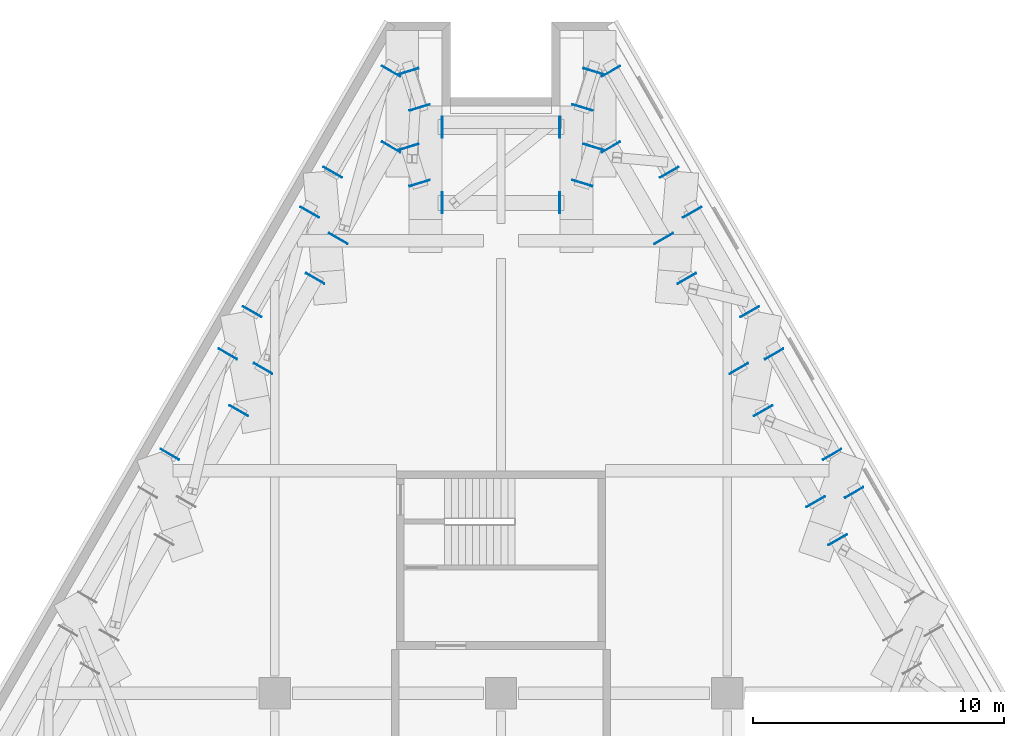
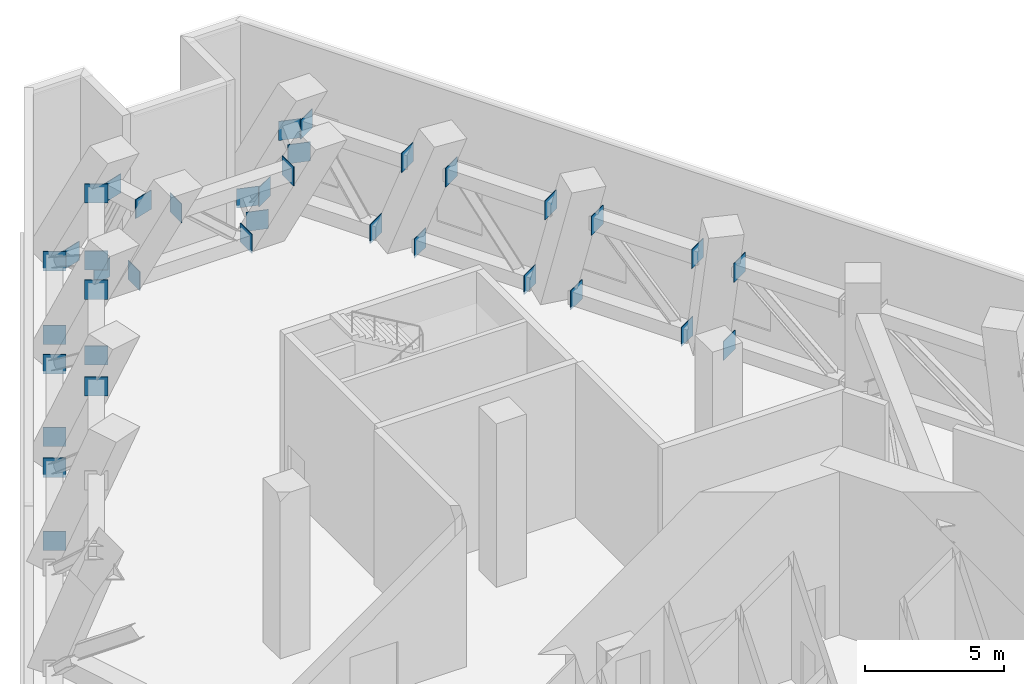
# One storey, part 11 of 12: 37 discrete accessories.
"""IFC4 building model written with IfcOpenShell, lengths in metres."""

from ifc_helpers import new_model, si_unit, direction, frame, origin, origin_2d, place, context, subcontext, project, spatial, rectangle, extrude, material, layer, layer_set, type_object, element, save


model = new_model("IFC4")

# Units and contexts
model_context = context("Model", 3, precision=1e-05, world=origin(), true_north=direction((0.0, 1.0)))
body_context = subcontext(model_context, "Body", "Model", "MODEL_VIEW")
ifc_project = project(units=[si_unit("LENGTHUNIT", "METRE"), si_unit("AREAUNIT", "SQUARE_METRE"), si_unit("VOLUMEUNIT", "CUBIC_METRE"), si_unit("PLANEANGLEUNIT", "RADIAN"), si_unit("MASSUNIT", "GRAM", prefix="KILO")], contexts=[model_context])

# Site, building, storey
site_placement = place(None, origin())
site = spatial("IfcSite", under=ifc_project, at=site_placement, CompositionType="ELEMENT")
building_placement = place(site_placement, origin())
building = spatial("IfcBuilding", under=site, at=building_placement, Name="Fogline Exchange Tower", CompositionType="ELEMENT")
storey_placement = place(building_placement, frame((0.0, 0.0, 88.89990234375)))
storey = spatial("IfcBuildingStorey", under=building, at=storey_placement, Name="L19", CompositionType="ELEMENT", Elevation=88.89990234375)

# Discrete accessories
ifc_material = material(Name="Steel Q355B", Category="steel")
ifc_layer = layer(ifc_material, 0.030029296875)
ifc_layer_set = layer_set([ifc_layer], Name="BE01")
discrete_accessory_type = type_object("IfcDiscreteAccessoryType", Name="BE01", PredefinedType="USERDEFINED", material=ifc_layer_set)
for number, where, z_axis, x_axis, name in (
    (1, (14.044189453125, 34.992431640625, -0.1201171875), (0.0, 0.0, 1.0), (-0.5, 0.866025403784, 0.0), "Belt truss chord end plate BT12-1-BC"),
    (2, (13.392578125, 33.111083984375, 4.68017578125), (0.0, 0.0, 1.0), (-0.5, 0.866025403784, 0.0), "Belt truss chord end plate BT12-1-TC"),
    (3, (13.16943359375, 36.5078125, -0.1201171875), (0.0, 0.0, 1.0), (0.5, -0.866025403784, 0.0), "Belt truss chord end plate BT13-1-BC"),
    (4, (10.863037109375, 40.50244140625, -0.1201171875), (0.0, 0.0, 1.0), (-0.5, 0.866025403784, 0.0), "Belt truss chord end plate BT13-1-BC"),
    (5, (12.517578125, 34.62646484375, 4.68017578125), (0.0, 0.0, 1.0), (0.5, -0.866025403784, 0.0), "Belt truss chord end plate BT13-1-TC"),
    (6, (10.428466796875, 38.2451171875, 4.68017578125), (0.0, 0.0, 1.0), (-0.5, 0.866025403784, 0.0), "Belt truss chord end plate BT13-1-TC"),
    (7, (9.89453125, 42.179931640625, -0.1201171875), (0.0, 0.0, 1.0), (0.5, -0.866025403784, 0.0), "Belt truss chord end plate BT14-1-BC"),
    (8, (7.609619140625, 46.1376953125, -0.1201171875), (0.0, 0.0, 1.0), (-0.5, 0.866025403784, 0.0), "Belt truss chord end plate BT14-1-BC"),
    (9, (9.460205078125, 39.92236328125, 4.68017578125), (0.0, 0.0, 1.0), (0.5, -0.866025403784, 0.0), "Belt truss chord end plate BT14-1-TC"),
    (10, (7.392333984375, 43.50390625, 4.68017578125), (0.0, 0.0, 1.0), (-0.5, 0.866025403784, 0.0), "Belt truss chord end plate BT14-1-TC"),
    (11, (6.69189453125, 47.72705078125, -0.1201171875), (0.0, 0.0, 1.0), (0.5, -0.866025403784, 0.0), "Belt truss chord end plate BT15-1-BC"),
    (12, (4.373046875, 51.743408203125, -0.1201171875), (0.0, 0.0, 1.0), (-0.5, 0.866025403784, 0.0), "Belt truss chord end plate BT15-1-BC"),
    (13, (6.474609375, 45.093505859375, 4.68017578125), (0.0, 0.0, 1.0), (0.5, -0.866025403784, 0.0), "Belt truss chord end plate BT15-1-TC"),
    (14, (4.373046875, 48.7333984375, 4.68017578125), (0.0, 0.0, 1.0), (-0.5, 0.866025403784, 0.0), "Belt truss chord end plate BT15-1-TC"),
    (15, (3.682373046875, 51.741943359375, -0.1201171875), (0.0, 0.0, 1.0), (0.293961920088, 0.95581713185, 0.0), "Belt truss chord end plate BT16-1-BC"),
    (16, (3.240478515625, 50.30517578125, -0.1201171875), (0.0, 0.0, 1.0), (-0.293961920088, -0.95581713185, 0.0), "Belt truss chord end plate BT16-1-BC"),
    (17, (3.682373046875, 48.73193359375, 4.68017578125), (0.0, 0.0, 1.0), (0.293961920088, 0.95581713185, 0.0), "Belt truss chord end plate BT16-1-TC"),
    (18, (3.240478515625, 47.295166015625, 4.68017578125), (0.0, 0.0, 1.0), (-0.293961920088, -0.95581713185, 0.0), "Belt truss chord end plate BT16-1-TC"),
    (19, (2.3349609375, 49.5234375, -0.1201171875), (0.0, 0.0, 1.0), (1.0, 0.0, 0.0), "Belt truss chord end plate BT17-1-BC"),
    (20, (-2.3349609375, 49.5234375, -0.1201171875), (0.0, 0.0, 1.0), (-1.0, 0.0, 0.0), "Belt truss chord end plate BT17-1-BC"),
    (21, (2.3349609375, 46.513427734375, 4.68017578125), (0.0, 0.0, 1.0), (1.0, 0.0, 0.0), "Belt truss chord end plate BT17-1-TC"),
    (22, (-2.3349609375, 46.513427734375, 4.68017578125), (0.0, 0.0, 1.0), (-1.0, 0.0, 0.0), "Belt truss chord end plate BT17-1-TC"),
    (23, (-3.240478515625, 50.30517578125, -0.1201171875), (0.0, 0.0, 1.0), (0.293961920088, -0.95581713185, 0.0), "Belt truss chord end plate BT18-1-BC"),
    (24, (-3.682373046875, 51.741943359375, -0.1201171875), (0.0, 0.0, 1.0), (-0.293961920088, 0.95581713185, 0.0), "Belt truss chord end plate BT18-1-BC"),
    (25, (-3.240478515625, 47.295166015625, 4.68017578125), (0.0, 0.0, 1.0), (0.293961920088, -0.95581713185, 0.0), "Belt truss chord end plate BT18-1-TC"),
    (26, (-3.682373046875, 48.73193359375, 4.68017578125), (0.0, 0.0, 1.0), (-0.293961920088, 0.95581713185, 0.0), "Belt truss chord end plate BT18-1-TC"),
    (27, (-4.373046875, 51.743408203125, -0.1201171875), (0.0, 0.0, 1.0), (0.5, 0.866025403784, 0.0), "Belt truss chord end plate BT19-1-BC"),
    (28, (-6.69189453125, 47.72705078125, -0.1201171875), (0.0, 0.0, 1.0), (-0.5, -0.866025403784, 0.0), "Belt truss chord end plate BT19-1-BC"),
    (29, (-4.373046875, 48.7333984375, 4.68017578125), (0.0, 0.0, 1.0), (0.5, 0.866025403784, 0.0), "Belt truss chord end plate BT19-1-TC"),
    (30, (-6.474609375, 45.093505859375, 4.68017578125), (0.0, 0.0, 1.0), (-0.5, -0.866025403784, 0.0), "Belt truss chord end plate BT19-1-TC"),
    (31, (-7.609619140625, 46.1376953125, -0.1201171875), (0.0, 0.0, 1.0), (0.5, 0.866025403784, 0.0), "Belt truss chord end plate BT20-1-BC"),
    (32, (-9.89453125, 42.179931640625, -0.1201171875), (0.0, 0.0, 1.0), (-0.5, -0.866025403784, 0.0), "Belt truss chord end plate BT20-1-BC"),
    (33, (-7.392333984375, 43.50390625, 4.68017578125), (0.0, 0.0, 1.0), (0.5, 0.866025403784, 0.0), "Belt truss chord end plate BT20-1-TC"),
    (34, (-9.460205078125, 39.92236328125, 4.68017578125), (0.0, 0.0, 1.0), (-0.5, -0.866025403784, 0.0), "Belt truss chord end plate BT20-1-TC"),
    (35, (-10.863037109375, 40.50244140625, -0.1201171875), (0.0, 0.0, 1.0), (0.5, 0.866025403784, 0.0), "Belt truss chord end plate BT21-1-BC"),
    (36, (-13.16943359375, 36.5078125, -0.1201171875), (0.0, 0.0, 1.0), (-0.5, -0.866025403784, 0.0), "Belt truss chord end plate BT21-1-BC"),
    (37, (-10.428466796875, 38.2451171875, 4.68017578125), (0.0, 0.0, 1.0), (0.5, 0.866025403784, 0.0), "Belt truss chord end plate BT21-1-TC"),
):
    element("IfcDiscreteAccessory", number, at=place(storey_placement, frame(where, z_axis=z_axis, x_axis=x_axis)), inside=storey, type_object=discrete_accessory_type, Name=name, ObjectType="END PLATE", PredefinedType="USERDEFINED", context=body_context, shape_type="SweptSolid", body=[
        extrude(rectangle(XDim=0.030029296875, YDim=0.840087890625, at=origin_2d()), origin(), (0.0, 0.0, 1.0), 0.840087890625),
    ])

save(model, "model.ifc")
